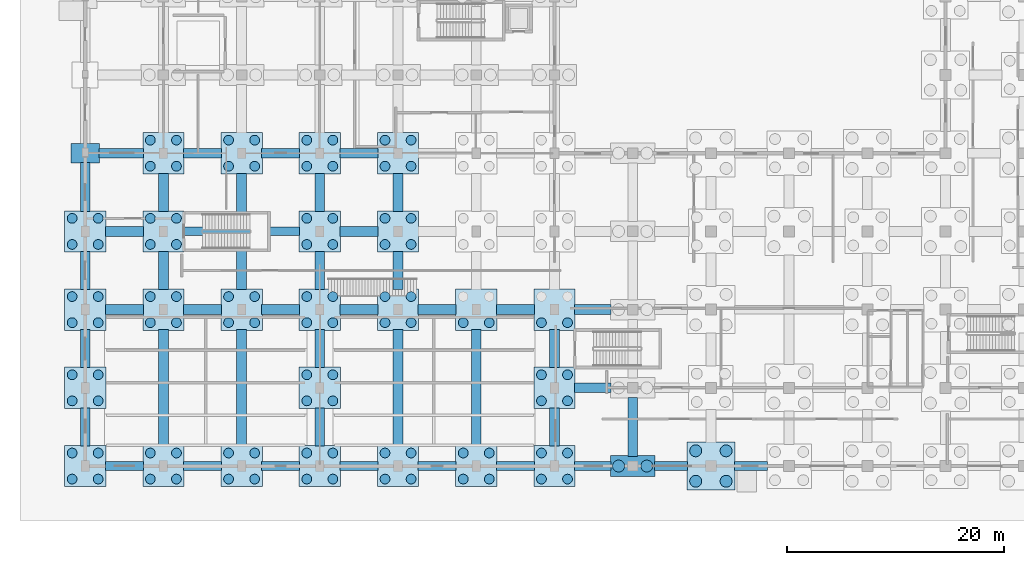
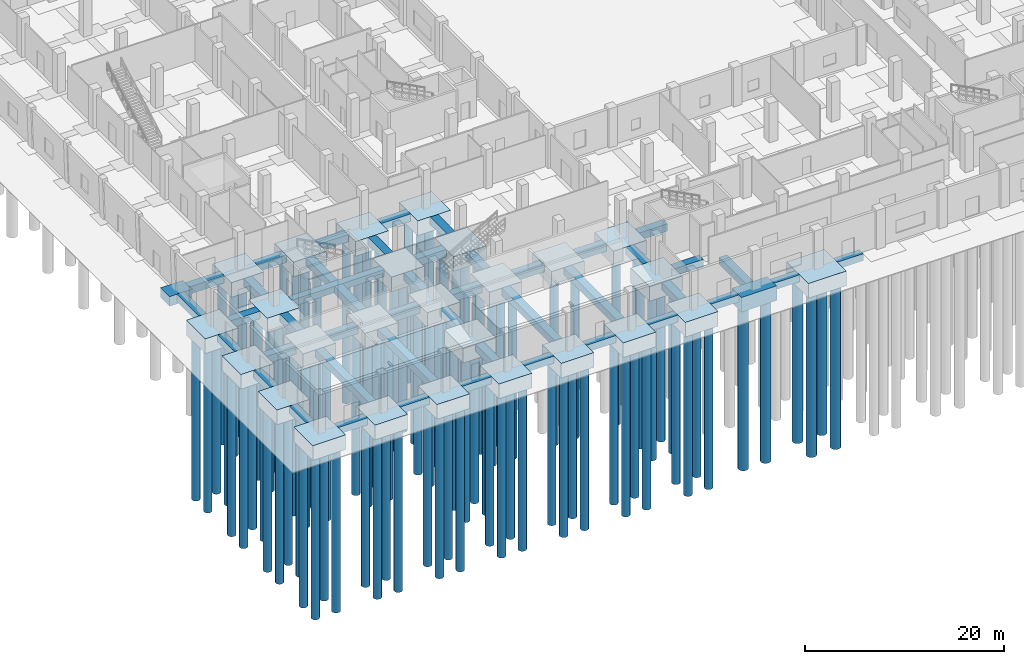
# One storey, part 1 of 48: 102 piles, 72 footings.
"""IFC4 building model written with IfcOpenShell, lengths in metres."""

from ifc_helpers import new_model, si_unit, direction, frame, origin, origin_2d, place, context, subcontext, project, spatial, rectangle, circle, extrude, material, material_profile, profile_set, type_object, element, save


model = new_model("IFC4")

# Units and contexts
model_context = context("Model", 3, precision=1e-05, world=origin(), true_north=direction((0.0, 1.0)))
body_context = subcontext(model_context, "Body", "Model", "MODEL_VIEW")
ifc_project = project(units=[si_unit("LENGTHUNIT", "METRE"), si_unit("AREAUNIT", "SQUARE_METRE"), si_unit("VOLUMEUNIT", "CUBIC_METRE"), si_unit("PLANEANGLEUNIT", "RADIAN"), si_unit("MASSUNIT", "GRAM", prefix="KILO")], contexts=[model_context])

# Site, building, storey
site_placement = place(None, origin())
site = spatial("IfcSite", under=ifc_project, at=site_placement, CompositionType="ELEMENT")
building_placement = place(site_placement, origin())
building = spatial("IfcBuilding", under=site, at=building_placement, Name="Seraya Terrace Polytechnic", CompositionType="ELEMENT")
storey_placement = place(building_placement, origin())
storey = spatial("IfcBuildingStorey", under=building, at=storey_placement, Name="L00", CompositionType="ELEMENT", Elevation=0.0)

# Piles
ifc_material = material(Name="Concrete C40/50", Category="concrete")
ifc_material_profile_1 = material_profile(ifc_material, circle(Radius=0.449951171875, at=origin_2d()), Name="DIA 900")
ifc_profile_set_1 = profile_set([ifc_material_profile_1], Name="Concrete C40/50")
pile_type_1 = type_object("IfcPileType", Name="BP-02", PredefinedType="BORED", material=ifc_profile_set_1)
for number, where, z_axis, x_axis, name in (
    (1, (-1.199951171875, -1.199951171875, -1.699951171875), (0.0, 0.0, -1.0), (1.0, 0.0, 0.0), "Bored pile BP-02 0000_0000-1"),
    (2, (1.199951171875, -1.199951171875, -1.699951171875), (0.0, 0.0, -1.0), (1.0, 0.0, 0.0), "Bored pile BP-02 0000_0000-2"),
    (3, (-1.199951171875, 1.199951171875, -1.699951171875), (0.0, 0.0, -1.0), (1.0, 0.0, 0.0), "Bored pile BP-02 0000_0000-3"),
    (4, (1.199951171875, 1.199951171875, -1.699951171875), (0.0, 0.0, -1.0), (1.0, 0.0, 0.0), "Bored pile BP-02 0000_0000-4"),
    (5, (-1.199951171875, 6.0, -1.699951171875), (0.0, 0.0, -1.0), (1.0, 0.0, 0.0), "Bored pile BP-02 0000_0072-1"),
    (6, (1.199951171875, 6.0, -1.699951171875), (0.0, 0.0, -1.0), (1.0, 0.0, 0.0), "Bored pile BP-02 0000_0072-2"),
    (7, (-1.199951171875, 8.39990234375, -1.699951171875), (0.0, 0.0, -1.0), (1.0, 0.0, 0.0), "Bored pile BP-02 0000_0072-3"),
    (8, (1.199951171875, 8.39990234375, -1.699951171875), (0.0, 0.0, -1.0), (1.0, 0.0, 0.0), "Bored pile BP-02 0000_0072-4"),
    (9, (-1.199951171875, 13.199951171875, -1.699951171875), (0.0, 0.0, -1.0), (1.0, 0.0, 0.0), "Bored pile BP-02 0000_0144-1"),
    (10, (1.199951171875, 13.199951171875, -1.699951171875), (0.0, 0.0, -1.0), (1.0, 0.0, 0.0), "Bored pile BP-02 0000_0144-2"),
    (11, (-1.199951171875, 15.60009765625, -1.699951171875), (0.0, 0.0, -1.0), (1.0, 0.0, 0.0), "Bored pile BP-02 0000_0144-3"),
    (12, (1.199951171875, 15.60009765625, -1.699951171875), (0.0, 0.0, -1.0), (1.0, 0.0, 0.0), "Bored pile BP-02 0000_0144-4"),
    (13, (-1.199951171875, 20.39990234375, -1.699951171875), (0.0, 0.0, -1.0), (1.0, 0.0, 0.0), "Bored pile BP-02 0000_0216-1"),
    (14, (1.199951171875, 20.39990234375, -1.699951171875), (0.0, 0.0, -1.0), (1.0, 0.0, 0.0), "Bored pile BP-02 0000_0216-2"),
    (15, (-1.199951171875, 22.800048828125, -1.699951171875), (0.0, 0.0, -1.0), (1.0, 0.0, 0.0), "Bored pile BP-02 0000_0216-3"),
    (16, (1.199951171875, 22.800048828125, -1.699951171875), (0.0, 0.0, -1.0), (1.0, 0.0, 0.0), "Bored pile BP-02 0000_0216-4"),
    (17, (6.0, -1.199951171875, -1.699951171875), (0.0, 0.0, -1.0), (1.0, 0.0, 0.0), "Bored pile BP-02 0072_0000-1"),
    (18, (8.39990234375, -1.199951171875, -1.699951171875), (0.0, 0.0, -1.0), (1.0, 0.0, 0.0), "Bored pile BP-02 0072_0000-2"),
    (19, (6.0, 1.199951171875, -1.699951171875), (0.0, 0.0, -1.0), (1.0, 0.0, 0.0), "Bored pile BP-02 0072_0000-3"),
    (20, (8.39990234375, 1.199951171875, -1.699951171875), (0.0, 0.0, -1.0), (1.0, 0.0, 0.0), "Bored pile BP-02 0072_0000-4"),
    (21, (6.0, 13.199951171875, -1.699951171875), (0.0, 0.0, -1.0), (1.0, 0.0, 0.0), "Bored pile BP-02 0072_0144-1"),
    (22, (8.39990234375, 13.199951171875, -1.699951171875), (0.0, 0.0, -1.0), (1.0, 0.0, 0.0), "Bored pile BP-02 0072_0144-2"),
    (23, (6.0, 15.60009765625, -1.699951171875), (0.0, 0.0, -1.0), (1.0, 0.0, 0.0), "Bored pile BP-02 0072_0144-3"),
    (24, (8.39990234375, 15.60009765625, -1.699951171875), (0.0, 0.0, -1.0), (1.0, 0.0, 0.0), "Bored pile BP-02 0072_0144-4"),
    (25, (6.0, 20.39990234375, -1.699951171875), (0.0, 0.0, -1.0), (1.0, 0.0, 0.0), "Bored pile BP-02 0072_0216-1"),
    (26, (8.39990234375, 20.39990234375, -1.699951171875), (0.0, 0.0, -1.0), (1.0, 0.0, 0.0), "Bored pile BP-02 0072_0216-2"),
    (27, (6.0, 22.800048828125, -1.699951171875), (0.0, 0.0, -1.0), (1.0, 0.0, 0.0), "Bored pile BP-02 0072_0216-3"),
    (28, (8.39990234375, 22.800048828125, -1.699951171875), (0.0, 0.0, -1.0), (1.0, 0.0, 0.0), "Bored pile BP-02 0072_0216-4"),
    (29, (6.0, 27.60009765625, -1.699951171875), (0.0, 0.0, -1.0), (1.0, 0.0, 0.0), "Bored pile BP-02 0072_0288-1"),
    (30, (8.39990234375, 27.60009765625, -1.699951171875), (0.0, 0.0, -1.0), (1.0, 0.0, 0.0), "Bored pile BP-02 0072_0288-2"),
    (31, (6.0, 30.0, -1.699951171875), (0.0, 0.0, -1.0), (1.0, 0.0, 0.0), "Bored pile BP-02 0072_0288-3"),
    (32, (8.39990234375, 30.0, -1.699951171875), (0.0, 0.0, -1.0), (1.0, 0.0, 0.0), "Bored pile BP-02 0072_0288-4"),
    (33, (13.199951171875, -1.199951171875, -1.699951171875), (0.0, 0.0, -1.0), (1.0, 0.0, 0.0), "Bored pile BP-02 0144_0000-1"),
    (34, (15.60009765625, -1.199951171875, -1.699951171875), (0.0, 0.0, -1.0), (1.0, 0.0, 0.0), "Bored pile BP-02 0144_0000-2"),
    (35, (13.199951171875, 1.199951171875, -1.699951171875), (0.0, 0.0, -1.0), (1.0, 0.0, 0.0), "Bored pile BP-02 0144_0000-3"),
    (36, (15.60009765625, 1.199951171875, -1.699951171875), (0.0, 0.0, -1.0), (1.0, 0.0, 0.0), "Bored pile BP-02 0144_0000-4"),
    (37, (13.199951171875, 13.199951171875, -1.699951171875), (0.0, 0.0, -1.0), (1.0, 0.0, 0.0), "Bored pile BP-02 0144_0144-1"),
    (38, (15.60009765625, 13.199951171875, -1.699951171875), (0.0, 0.0, -1.0), (1.0, 0.0, 0.0), "Bored pile BP-02 0144_0144-2"),
    (39, (13.199951171875, 15.60009765625, -1.699951171875), (0.0, 0.0, -1.0), (1.0, 0.0, 0.0), "Bored pile BP-02 0144_0144-3"),
    (40, (15.60009765625, 15.60009765625, -1.699951171875), (0.0, 0.0, -1.0), (1.0, 0.0, 0.0), "Bored pile BP-02 0144_0144-4"),
    (41, (13.199951171875, 27.60009765625, -1.699951171875), (0.0, 0.0, -1.0), (1.0, 0.0, 0.0), "Bored pile BP-02 0144_0288-1"),
    (42, (15.60009765625, 27.60009765625, -1.699951171875), (0.0, 0.0, -1.0), (1.0, 0.0, 0.0), "Bored pile BP-02 0144_0288-2"),
    (43, (13.199951171875, 30.0, -1.699951171875), (0.0, 0.0, -1.0), (1.0, 0.0, 0.0), "Bored pile BP-02 0144_0288-3"),
    (44, (15.60009765625, 30.0, -1.699951171875), (0.0, 0.0, -1.0), (1.0, 0.0, 0.0), "Bored pile BP-02 0144_0288-4"),
    (45, (20.39990234375, -1.199951171875, -1.699951171875), (0.0, 0.0, -1.0), (1.0, 0.0, 0.0), "Bored pile BP-02 0216_0000-1"),
    (46, (22.800048828125, -1.199951171875, -1.699951171875), (0.0, 0.0, -1.0), (1.0, 0.0, 0.0), "Bored pile BP-02 0216_0000-2"),
    (47, (20.39990234375, 1.199951171875, -1.699951171875), (0.0, 0.0, -1.0), (1.0, 0.0, 0.0), "Bored pile BP-02 0216_0000-3"),
    (48, (22.800048828125, 1.199951171875, -1.699951171875), (0.0, 0.0, -1.0), (1.0, 0.0, 0.0), "Bored pile BP-02 0216_0000-4"),
    (49, (20.39990234375, 6.0, -1.699951171875), (0.0, 0.0, -1.0), (1.0, 0.0, 0.0), "Bored pile BP-02 0216_0072-1"),
    (50, (22.800048828125, 6.0, -1.699951171875), (0.0, 0.0, -1.0), (1.0, 0.0, 0.0), "Bored pile BP-02 0216_0072-2"),
    (51, (20.39990234375, 8.39990234375, -1.699951171875), (0.0, 0.0, -1.0), (1.0, 0.0, 0.0), "Bored pile BP-02 0216_0072-3"),
    (52, (22.800048828125, 8.39990234375, -1.699951171875), (0.0, 0.0, -1.0), (1.0, 0.0, 0.0), "Bored pile BP-02 0216_0072-4"),
    (53, (20.39990234375, 13.199951171875, -1.699951171875), (0.0, 0.0, -1.0), (1.0, 0.0, 0.0), "Bored pile BP-02 0216_0144-1"),
    (54, (22.800048828125, 13.199951171875, -1.699951171875), (0.0, 0.0, -1.0), (1.0, 0.0, 0.0), "Bored pile BP-02 0216_0144-2"),
    (55, (20.39990234375, 15.60009765625, -1.699951171875), (0.0, 0.0, -1.0), (1.0, 0.0, 0.0), "Bored pile BP-02 0216_0144-3"),
    (56, (22.800048828125, 15.60009765625, -1.699951171875), (0.0, 0.0, -1.0), (1.0, 0.0, 0.0), "Bored pile BP-02 0216_0144-4"),
    (57, (20.39990234375, 20.39990234375, -1.699951171875), (0.0, 0.0, -1.0), (1.0, 0.0, 0.0), "Bored pile BP-02 0216_0216-1"),
    (58, (22.800048828125, 20.39990234375, -1.699951171875), (0.0, 0.0, -1.0), (1.0, 0.0, 0.0), "Bored pile BP-02 0216_0216-2"),
    (59, (20.39990234375, 22.800048828125, -1.699951171875), (0.0, 0.0, -1.0), (1.0, 0.0, 0.0), "Bored pile BP-02 0216_0216-3"),
    (60, (22.800048828125, 22.800048828125, -1.699951171875), (0.0, 0.0, -1.0), (1.0, 0.0, 0.0), "Bored pile BP-02 0216_0216-4"),
    (61, (20.39990234375, 27.60009765625, -1.699951171875), (0.0, 0.0, -1.0), (1.0, 0.0, 0.0), "Bored pile BP-02 0216_0288-1"),
    (62, (22.800048828125, 27.60009765625, -1.699951171875), (0.0, 0.0, -1.0), (1.0, 0.0, 0.0), "Bored pile BP-02 0216_0288-2"),
    (63, (20.39990234375, 30.0, -1.699951171875), (0.0, 0.0, -1.0), (1.0, 0.0, 0.0), "Bored pile BP-02 0216_0288-3"),
    (64, (22.800048828125, 30.0, -1.699951171875), (0.0, 0.0, -1.0), (1.0, 0.0, 0.0), "Bored pile BP-02 0216_0288-4"),
    (65, (27.60009765625, -1.199951171875, -1.699951171875), (0.0, 0.0, -1.0), (1.0, 0.0, 0.0), "Bored pile BP-02 0288_0000-1"),
    (66, (30.0, -1.199951171875, -1.699951171875), (0.0, 0.0, -1.0), (1.0, 0.0, 0.0), "Bored pile BP-02 0288_0000-2"),
    (67, (27.60009765625, 1.199951171875, -1.699951171875), (0.0, 0.0, -1.0), (1.0, 0.0, 0.0), "Bored pile BP-02 0288_0000-3"),
    (68, (30.0, 1.199951171875, -1.699951171875), (0.0, 0.0, -1.0), (1.0, 0.0, 0.0), "Bored pile BP-02 0288_0000-4"),
    (69, (27.60009765625, 13.199951171875, -1.699951171875), (0.0, 0.0, -1.0), (1.0, 0.0, 0.0), "Bored pile BP-02 0288_0144-1"),
    (70, (30.0, 13.199951171875, -1.699951171875), (0.0, 0.0, -1.0), (1.0, 0.0, 0.0), "Bored pile BP-02 0288_0144-2"),
    (71, (27.60009765625, 15.60009765625, -1.699951171875), (0.0, 0.0, -1.0), (1.0, 0.0, 0.0), "Bored pile BP-02 0288_0144-3"),
    (72, (30.0, 15.60009765625, -1.699951171875), (0.0, 0.0, -1.0), (1.0, 0.0, 0.0), "Bored pile BP-02 0288_0144-4"),
    (73, (27.60009765625, 20.39990234375, -1.699951171875), (0.0, 0.0, -1.0), (1.0, 0.0, 0.0), "Bored pile BP-02 0288_0216-1"),
    (74, (30.0, 20.39990234375, -1.699951171875), (0.0, 0.0, -1.0), (1.0, 0.0, 0.0), "Bored pile BP-02 0288_0216-2"),
    (75, (27.60009765625, 22.800048828125, -1.699951171875), (0.0, 0.0, -1.0), (1.0, 0.0, 0.0), "Bored pile BP-02 0288_0216-3"),
    (76, (30.0, 22.800048828125, -1.699951171875), (0.0, 0.0, -1.0), (1.0, 0.0, 0.0), "Bored pile BP-02 0288_0216-4"),
    (77, (27.60009765625, 27.60009765625, -1.699951171875), (0.0, 0.0, -1.0), (1.0, 0.0, 0.0), "Bored pile BP-02 0288_0288-1"),
    (78, (30.0, 27.60009765625, -1.699951171875), (0.0, 0.0, -1.0), (1.0, 0.0, 0.0), "Bored pile BP-02 0288_0288-2"),
    (79, (27.60009765625, 30.0, -1.699951171875), (0.0, 0.0, -1.0), (1.0, 0.0, 0.0), "Bored pile BP-02 0288_0288-3"),
    (80, (30.0, 30.0, -1.699951171875), (0.0, 0.0, -1.0), (1.0, 0.0, 0.0), "Bored pile BP-02 0288_0288-4"),
    (81, (34.800048828125, -1.199951171875, -1.699951171875), (0.0, 0.0, -1.0), (1.0, 0.0, 0.0), "Bored pile BP-02 0360_0000-1"),
    (82, (37.199951171875, -1.199951171875, -1.699951171875), (0.0, 0.0, -1.0), (1.0, 0.0, 0.0), "Bored pile BP-02 0360_0000-2"),
    (83, (34.800048828125, 1.199951171875, -1.699951171875), (0.0, 0.0, -1.0), (1.0, 0.0, 0.0), "Bored pile BP-02 0360_0000-3"),
    (84, (37.199951171875, 1.199951171875, -1.699951171875), (0.0, 0.0, -1.0), (1.0, 0.0, 0.0), "Bored pile BP-02 0360_0000-4"),
    (85, (34.800048828125, 13.199951171875, -1.699951171875), (0.0, 0.0, -1.0), (1.0, 0.0, 0.0), "Bored pile BP-02 0360_0144-1"),
    (86, (37.199951171875, 13.199951171875, -1.699951171875), (0.0, 0.0, -1.0), (1.0, 0.0, 0.0), "Bored pile BP-02 0360_0144-2"),
    (87, (42.0, -1.199951171875, -1.699951171875), (0.0, 0.0, -1.0), (1.0, 0.0, 0.0), "Bored pile BP-02 0432_0000-1"),
    (88, (44.39990234375, -1.199951171875, -1.699951171875), (0.0, 0.0, -1.0), (1.0, 0.0, 0.0), "Bored pile BP-02 0432_0000-2"),
    (89, (42.0, 1.199951171875, -1.699951171875), (0.0, 0.0, -1.0), (1.0, 0.0, 0.0), "Bored pile BP-02 0432_0000-3"),
    (90, (44.39990234375, 1.199951171875, -1.699951171875), (0.0, 0.0, -1.0), (1.0, 0.0, 0.0), "Bored pile BP-02 0432_0000-4"),
    (91, (42.0, 6.0, -1.699951171875), (0.0, 0.0, -1.0), (1.0, 0.0, 0.0), "Bored pile BP-02 0432_0072-1"),
    (92, (44.39990234375, 6.0, -1.699951171875), (0.0, 0.0, -1.0), (1.0, 0.0, 0.0), "Bored pile BP-02 0432_0072-2"),
    (93, (42.0, 8.39990234375, -1.699951171875), (0.0, 0.0, -1.0), (1.0, 0.0, 0.0), "Bored pile BP-02 0432_0072-3"),
    (94, (44.39990234375, 8.39990234375, -1.699951171875), (0.0, 0.0, -1.0), (1.0, 0.0, 0.0), "Bored pile BP-02 0432_0072-4"),
    (95, (42.0, 13.199951171875, -1.699951171875), (0.0, 0.0, -1.0), (1.0, 0.0, 0.0), "Bored pile BP-02 0432_0144-1"),
    (96, (44.39990234375, 13.199951171875, -1.699951171875), (0.0, 0.0, -1.0), (1.0, 0.0, 0.0), "Bored pile BP-02 0432_0144-2"),
):
    element("IfcPile", number, at=place(storey_placement, frame(where, z_axis=z_axis, x_axis=x_axis)), inside=storey, type_object=pile_type_1, Name=name, PredefinedType="BORED", context=body_context, shape_type="SweptSolid", body=[
        extrude(circle(Radius=0.449951171875, at=origin_2d()), origin(), (0.0, 0.0, 1.0), 20.0),
    ])
ifc_material_profile_2 = material_profile(ifc_material, circle(Radius=0.550048828125, at=origin_2d()), Name="DIA 1100")
ifc_profile_set_2 = profile_set([ifc_material_profile_2], Name="Concrete C40/50")
pile_type_2 = type_object("IfcPileType", Name="BP-04", PredefinedType="BORED", material=ifc_profile_set_2)
for number, where, z_axis, x_axis, name in (
    (97, (49.10009765625, 0.0, -1.699951171875), (0.0, 0.0, -1.0), (1.0, 0.0, 0.0), "Bored pile BP-04 0504_0000-1"),
    (98, (51.699951171875, 0.0, -1.699951171875), (0.0, 0.0, -1.0), (1.0, 0.0, 0.0), "Bored pile BP-04 0504_0000-2"),
    (99, (56.199951171875, -1.39990234375, -1.699951171875), (0.0, 0.0, -1.0), (1.0, 0.0, 0.0), "Bored pile BP-04 0576_0000-1"),
    (100, (59.0, -1.39990234375, -1.699951171875), (0.0, 0.0, -1.0), (1.0, 0.0, 0.0), "Bored pile BP-04 0576_0000-2"),
    (101, (56.199951171875, 1.39990234375, -1.699951171875), (0.0, 0.0, -1.0), (1.0, 0.0, 0.0), "Bored pile BP-04 0576_0000-3"),
    (102, (59.0, 1.39990234375, -1.699951171875), (0.0, 0.0, -1.0), (1.0, 0.0, 0.0), "Bored pile BP-04 0576_0000-4"),
):
    element("IfcPile", number, at=place(storey_placement, frame(where, z_axis=z_axis, x_axis=x_axis)), inside=storey, type_object=pile_type_2, Name=name, PredefinedType="BORED", context=body_context, shape_type="SweptSolid", body=[
        extrude(circle(Radius=0.550048828125, at=origin_2d()), origin(), (0.0, 0.0, 1.0), 20.0),
    ])

# Footings
footing_type_1 = type_object("IfcFootingType", Name="FB-01", PredefinedType="FOOTING_BEAM", material=ifc_material)
for number, where, z_axis, x_axis, name in (
    (103, (0.0, 3.60009765625, -0.89990234375), (0.0, 0.0, 1.0), (0.0, 1.0, 0.0), "Foundation tie beam FB-01 Y"),
    (104, (0.0, 10.800048828125, -0.89990234375), (0.0, 0.0, 1.0), (0.0, 1.0, 0.0), "Foundation tie beam FB-01 Y"),
    (105, (3.60009765625, 14.39990234375, -0.89990234375), (0.0, 0.0, 1.0), (1.0, 0.0, 0.0), "Foundation tie beam FB-01 X"),
    (106, (0.0, 18.0, -0.89990234375), (0.0, 0.0, 1.0), (0.0, 1.0, 0.0), "Foundation tie beam FB-01 Y"),
    (107, (3.60009765625, 21.60009765625, -0.89990234375), (0.0, 0.0, 1.0), (1.0, 0.0, 0.0), "Foundation tie beam FB-01 X"),
):
    element("IfcFooting", number, at=place(storey_placement, frame(where, z_axis=z_axis, x_axis=x_axis)), inside=storey, type_object=footing_type_1, Name=name, PredefinedType="FOOTING_BEAM", context=body_context, shape_type="SweptSolid", body=[
        extrude(rectangle(XDim=3.5, YDim=0.89990234375, at=origin_2d()), origin(), (0.0, 0.0, 1.0), 0.89990234375),
    ])
footing_1_placement = place(storey_placement, frame((0.0, 25.699951171875, -0.89990234375), z_axis=(0.0, 0.0, 1.0), x_axis=(0.0, 1.0, 0.0)))
element("IfcFooting", 108, at=footing_1_placement, inside=storey, type_object=footing_type_1, Name="Foundation tie beam FB-01 Y", PredefinedType="FOOTING_BEAM", context=body_context, shape_type="SweptSolid", body=[
    extrude(rectangle(XDim=4.5, YDim=0.89990234375, at=origin_2d()), origin(), (0.0, 0.0, 1.0), 0.89990234375),
])
footing_2_placement = place(storey_placement, frame((3.300048828125, 28.800048828125, -0.89990234375), z_axis=(0.0, 0.0, 1.0), x_axis=(1.0, 0.0, 0.0)))
element("IfcFooting", 109, at=footing_2_placement, inside=storey, type_object=footing_type_1, Name="Foundation tie beam FB-01 X", PredefinedType="FOOTING_BEAM", context=body_context, shape_type="SweptSolid", body=[
    extrude(rectangle(XDim=4.10009765625, YDim=0.89990234375, at=origin_2d()), origin(), (0.0, 0.0, 1.0), 0.89990234375),
])
footing_3_placement = place(storey_placement, frame((7.199951171875, 7.199951171875, -0.89990234375), z_axis=(0.0, 0.0, 1.0), x_axis=(0.0, 1.0, 0.0)))
element("IfcFooting", 110, at=footing_3_placement, inside=storey, type_object=footing_type_1, Name="Foundation tie beam FB-01 Y", PredefinedType="FOOTING_BEAM", context=body_context, shape_type="SweptSolid", body=[
    extrude(rectangle(XDim=10.699951171875, YDim=0.89990234375, at=origin_2d()), origin(), (0.0, 0.0, 1.0), 0.89990234375),
])
for number, where, z_axis, x_axis, name in (
    (111, (10.800048828125, 14.39990234375, -0.89990234375), (0.0, 0.0, 1.0), (1.0, 0.0, 0.0), "Foundation tie beam FB-01 X"),
    (112, (7.199951171875, 18.0, -0.89990234375), (0.0, 0.0, 1.0), (0.0, 1.0, 0.0), "Foundation tie beam FB-01 Y"),
    (113, (7.199951171875, 25.199951171875, -0.89990234375), (0.0, 0.0, 1.0), (0.0, 1.0, 0.0), "Foundation tie beam FB-01 Y"),
    (114, (10.800048828125, 28.800048828125, -0.89990234375), (0.0, 0.0, 1.0), (1.0, 0.0, 0.0), "Foundation tie beam FB-01 X"),
):
    element("IfcFooting", number, at=place(storey_placement, frame(where, z_axis=z_axis, x_axis=x_axis)), inside=storey, type_object=footing_type_1, Name=name, PredefinedType="FOOTING_BEAM", context=body_context, shape_type="SweptSolid", body=[
        extrude(rectangle(XDim=3.5, YDim=0.89990234375, at=origin_2d()), origin(), (0.0, 0.0, 1.0), 0.89990234375),
    ])
footing_4_placement = place(storey_placement, frame((14.39990234375, 7.199951171875, -0.89990234375), z_axis=(0.0, 0.0, 1.0), x_axis=(0.0, 1.0, 0.0)))
element("IfcFooting", 115, at=footing_4_placement, inside=storey, type_object=footing_type_1, Name="Foundation tie beam FB-01 Y", PredefinedType="FOOTING_BEAM", context=body_context, shape_type="SweptSolid", body=[
    extrude(rectangle(XDim=10.699951171875, YDim=0.89990234375, at=origin_2d()), origin(), (0.0, 0.0, 1.0), 0.89990234375),
])
footing_5_placement = place(storey_placement, frame((18.0, 14.39990234375, -0.89990234375), z_axis=(0.0, 0.0, 1.0), x_axis=(1.0, 0.0, 0.0)))
element("IfcFooting", 116, at=footing_5_placement, inside=storey, type_object=footing_type_1, Name="Foundation tie beam FB-01 X", PredefinedType="FOOTING_BEAM", context=body_context, shape_type="SweptSolid", body=[
    extrude(rectangle(XDim=3.5, YDim=0.89990234375, at=origin_2d()), origin(), (0.0, 0.0, 1.0), 0.89990234375),
])
footing_6_placement = place(storey_placement, frame((14.39990234375, 21.60009765625, -0.89990234375), z_axis=(0.0, 0.0, 1.0), x_axis=(0.0, 1.0, 0.0)))
element("IfcFooting", 117, at=footing_6_placement, inside=storey, type_object=footing_type_1, Name="Foundation tie beam FB-01 Y", PredefinedType="FOOTING_BEAM", context=body_context, shape_type="SweptSolid", body=[
    extrude(rectangle(XDim=10.699951171875, YDim=0.89990234375, at=origin_2d()), origin(), (0.0, 0.0, 1.0), 0.89990234375),
])
for number, where, z_axis, x_axis, name in (
    (118, (18.0, 28.800048828125, -0.89990234375), (0.0, 0.0, 1.0), (1.0, 0.0, 0.0), "Foundation tie beam FB-01 X"),
    (119, (21.60009765625, 3.60009765625, -0.89990234375), (0.0, 0.0, 1.0), (0.0, 1.0, 0.0), "Foundation tie beam FB-01 Y"),
    (120, (21.60009765625, 10.800048828125, -0.89990234375), (0.0, 0.0, 1.0), (0.0, 1.0, 0.0), "Foundation tie beam FB-01 Y"),
    (121, (25.199951171875, 14.39990234375, -0.89990234375), (0.0, 0.0, 1.0), (1.0, 0.0, 0.0), "Foundation tie beam FB-01 X"),
    (122, (21.60009765625, 18.0, -0.89990234375), (0.0, 0.0, 1.0), (0.0, 1.0, 0.0), "Foundation tie beam FB-01 Y"),
    (123, (25.199951171875, 21.60009765625, -0.89990234375), (0.0, 0.0, 1.0), (1.0, 0.0, 0.0), "Foundation tie beam FB-01 X"),
    (124, (21.60009765625, 25.199951171875, -0.89990234375), (0.0, 0.0, 1.0), (0.0, 1.0, 0.0), "Foundation tie beam FB-01 Y"),
    (125, (25.199951171875, 28.800048828125, -0.89990234375), (0.0, 0.0, 1.0), (1.0, 0.0, 0.0), "Foundation tie beam FB-01 X"),
):
    element("IfcFooting", number, at=place(storey_placement, frame(where, z_axis=z_axis, x_axis=x_axis)), inside=storey, type_object=footing_type_1, Name=name, PredefinedType="FOOTING_BEAM", context=body_context, shape_type="SweptSolid", body=[
        extrude(rectangle(XDim=3.5, YDim=0.89990234375, at=origin_2d()), origin(), (0.0, 0.0, 1.0), 0.89990234375),
    ])
footing_7_placement = place(storey_placement, frame((28.800048828125, 7.199951171875, -0.89990234375), z_axis=(0.0, 0.0, 1.0), x_axis=(0.0, 1.0, 0.0)))
element("IfcFooting", 126, at=footing_7_placement, inside=storey, type_object=footing_type_1, Name="Foundation tie beam FB-01 Y", PredefinedType="FOOTING_BEAM", context=body_context, shape_type="SweptSolid", body=[
    extrude(rectangle(XDim=10.699951171875, YDim=0.89990234375, at=origin_2d()), origin(), (0.0, 0.0, 1.0), 0.89990234375),
])
for number, where, z_axis, x_axis, name in (
    (127, (32.39990234375, 14.39990234375, -0.89990234375), (0.0, 0.0, 1.0), (1.0, 0.0, 0.0), "Foundation tie beam FB-01 X"),
    (128, (28.800048828125, 18.0, -0.89990234375), (0.0, 0.0, 1.0), (0.0, 1.0, 0.0), "Foundation tie beam FB-01 Y"),
    (129, (28.800048828125, 25.199951171875, -0.89990234375), (0.0, 0.0, 1.0), (0.0, 1.0, 0.0), "Foundation tie beam FB-01 Y"),
):
    element("IfcFooting", number, at=place(storey_placement, frame(where, z_axis=z_axis, x_axis=x_axis)), inside=storey, type_object=footing_type_1, Name=name, PredefinedType="FOOTING_BEAM", context=body_context, shape_type="SweptSolid", body=[
        extrude(rectangle(XDim=3.5, YDim=0.89990234375, at=origin_2d()), origin(), (0.0, 0.0, 1.0), 0.89990234375),
    ])
footing_8_placement = place(storey_placement, frame((36.0, 7.199951171875, -0.89990234375), z_axis=(0.0, 0.0, 1.0), x_axis=(0.0, 1.0, 0.0)))
element("IfcFooting", 130, at=footing_8_placement, inside=storey, type_object=footing_type_1, Name="Foundation tie beam FB-01 Y", PredefinedType="FOOTING_BEAM", context=body_context, shape_type="SweptSolid", body=[
    extrude(rectangle(XDim=10.699951171875, YDim=0.89990234375, at=origin_2d()), origin(), (0.0, 0.0, 1.0), 0.89990234375),
])
for number, where, z_axis, x_axis, name in (
    (131, (39.60009765625, 14.39990234375, -0.89990234375), (0.0, 0.0, 1.0), (1.0, 0.0, 0.0), "Foundation tie beam FB-01 X"),
    (132, (43.199951171875, 3.60009765625, -0.89990234375), (0.0, 0.0, 1.0), (0.0, 1.0, 0.0), "Foundation tie beam FB-01 Y"),
):
    element("IfcFooting", number, at=place(storey_placement, frame(where, z_axis=z_axis, x_axis=x_axis)), inside=storey, type_object=footing_type_1, Name=name, PredefinedType="FOOTING_BEAM", context=body_context, shape_type="SweptSolid", body=[
        extrude(rectangle(XDim=3.5, YDim=0.89990234375, at=origin_2d()), origin(), (0.0, 0.0, 1.0), 0.89990234375),
    ])
footing_9_placement = place(storey_placement, frame((46.72509765625, 7.199951171875, -0.89990234375), z_axis=(0.0, 0.0, 1.0), x_axis=(1.0, 0.0, 0.0)))
element("IfcFooting", 133, at=footing_9_placement, inside=storey, type_object=footing_type_1, Name="Foundation tie beam FB-01 X", PredefinedType="FOOTING_BEAM", context=body_context, shape_type="SweptSolid", body=[
    extrude(rectangle(XDim=3.35009765625, YDim=0.89990234375, at=origin_2d()), origin(), (0.0, 0.0, 1.0), 0.89990234375),
])
footing_10_placement = place(storey_placement, frame((43.199951171875, 10.800048828125, -0.89990234375), z_axis=(0.0, 0.0, 1.0), x_axis=(0.0, 1.0, 0.0)))
element("IfcFooting", 134, at=footing_10_placement, inside=storey, type_object=footing_type_1, Name="Foundation tie beam FB-01 Y", PredefinedType="FOOTING_BEAM", context=body_context, shape_type="SweptSolid", body=[
    extrude(rectangle(XDim=3.5, YDim=0.89990234375, at=origin_2d()), origin(), (0.0, 0.0, 1.0), 0.89990234375),
])
footing_11_placement = place(storey_placement, frame((46.72509765625, 14.39990234375, -0.89990234375), z_axis=(0.0, 0.0, 1.0), x_axis=(1.0, 0.0, 0.0)))
element("IfcFooting", 135, at=footing_11_placement, inside=storey, type_object=footing_type_1, Name="Foundation tie beam FB-01 X", PredefinedType="FOOTING_BEAM", context=body_context, shape_type="SweptSolid", body=[
    extrude(rectangle(XDim=3.35009765625, YDim=0.89990234375, at=origin_2d()), origin(), (0.0, 0.0, 1.0), 0.89990234375),
])
footing_12_placement = place(storey_placement, frame((50.39990234375, 3.60009765625, -0.89990234375), z_axis=(0.0, 0.0, 1.0), x_axis=(0.0, 1.0, 0.0)))
element("IfcFooting", 136, at=footing_12_placement, inside=storey, type_object=footing_type_1, Name="Foundation tie beam FB-01 Y", PredefinedType="FOOTING_BEAM", context=body_context, shape_type="SweptSolid", body=[
    extrude(rectangle(XDim=5.39990234375, YDim=0.89990234375, at=origin_2d()), origin(), (0.0, 0.0, 1.0), 0.89990234375),
])
footing_type_2 = type_object("IfcFootingType", Name="FB-02", PredefinedType="FOOTING_BEAM", material=ifc_material)
footing_13_placement = place(storey_placement, frame((14.39990234375, 21.60009765625, -0.7998046875), z_axis=(0.0, 0.0, 1.0), x_axis=(1.0, 0.0, 0.0)))
element("IfcFooting", 137, at=footing_13_placement, inside=storey, type_object=footing_type_2, Name="Foundation tie beam FB-02 X", PredefinedType="FOOTING_BEAM", context=body_context, shape_type="SweptSolid", body=[
    extrude(rectangle(XDim=10.699951171875, YDim=0.800048828125, at=origin_2d()), origin(), (0.0, 0.0, 1.0), 0.800048828125),
])
footing_type_3 = type_object("IfcFootingType", Name="FB-04", PredefinedType="FOOTING_BEAM", material=ifc_material)
for number, where, z_axis, x_axis, name in (
    (138, (3.60009765625, 0.0, -0.85009765625), (0.0, 0.0, 1.0), (1.0, 0.0, 0.0), "Foundation tie beam FB-04 X"),
    (139, (10.800048828125, 0.0, -0.85009765625), (0.0, 0.0, 1.0), (1.0, 0.0, 0.0), "Foundation tie beam FB-04 X"),
    (140, (18.0, 0.0, -0.85009765625), (0.0, 0.0, 1.0), (1.0, 0.0, 0.0), "Foundation tie beam FB-04 X"),
    (141, (25.199951171875, 0.0, -0.85009765625), (0.0, 0.0, 1.0), (1.0, 0.0, 0.0), "Foundation tie beam FB-04 X"),
    (142, (32.39990234375, 0.0, -0.85009765625), (0.0, 0.0, 1.0), (1.0, 0.0, 0.0), "Foundation tie beam FB-04 X"),
    (143, (39.60009765625, 0.0, -0.85009765625), (0.0, 0.0, 1.0), (1.0, 0.0, 0.0), "Foundation tie beam FB-04 X"),
):
    element("IfcFooting", number, at=place(storey_placement, frame(where, z_axis=z_axis, x_axis=x_axis)), inside=storey, type_object=footing_type_3, Name=name, PredefinedType="FOOTING_BEAM", context=body_context, shape_type="SweptSolid", body=[
        extrude(rectangle(XDim=3.5, YDim=0.85009765625, at=origin_2d()), origin(), (0.0, 0.0, 1.0), 0.85009765625),
    ])
footing_14_placement = place(storey_placement, frame((46.72509765625, 0.0, -0.85009765625), z_axis=(0.0, 0.0, 1.0), x_axis=(1.0, 0.0, 0.0)))
element("IfcFooting", 144, at=footing_14_placement, inside=storey, type_object=footing_type_3, Name="Foundation tie beam FB-04 X", PredefinedType="FOOTING_BEAM", context=body_context, shape_type="SweptSolid", body=[
    extrude(rectangle(XDim=3.35009765625, YDim=0.85009765625, at=origin_2d()), origin(), (0.0, 0.0, 1.0), 0.85009765625),
])
for number, where, z_axis, x_axis, name in (
    (145, (53.925048828125, 0.0, -0.85009765625), (0.0, 0.0, 1.0), (1.0, 0.0, 0.0), "Foundation tie beam FB-04 X"),
    (146, (61.27490234375, 0.0, -0.85009765625), (0.0, 0.0, 1.0), (1.0, 0.0, 0.0), "Foundation tie beam FB-04 X"),
):
    element("IfcFooting", number, at=place(storey_placement, frame(where, z_axis=z_axis, x_axis=x_axis)), inside=storey, type_object=footing_type_3, Name=name, PredefinedType="FOOTING_BEAM", context=body_context, shape_type="SweptSolid", body=[
        extrude(rectangle(XDim=3.050048828125, YDim=0.85009765625, at=origin_2d()), origin(), (0.0, 0.0, 1.0), 0.85009765625),
    ])
footing_type_4 = type_object("IfcFootingType", Name="PC-05", PredefinedType="PILE_CAP", material=ifc_material)
footing_15_placement = place(storey_placement, frame((50.39990234375, 0.0, -1.7998046875), z_axis=(0.0, 0.0, 1.0), x_axis=(1.0, 0.0, 0.0)))
element("IfcFooting", 147, at=footing_15_placement, inside=storey, type_object=footing_type_4, Name="Pile cap PC-05 at (50.4, 0.0)", PredefinedType="PILE_CAP", context=body_context, shape_type="SweptSolid", body=[
    extrude(rectangle(XDim=4.10009765625, YDim=1.89990234375, at=origin_2d()), origin(), (0.0, 0.0, 1.0), 1.800048828125),
])
footing_type_5 = type_object("IfcFootingType", Name="PC-06", PredefinedType="PILE_CAP", material=ifc_material)
for number, where, z_axis, x_axis, name in (
    (148, (0.0, 0.0, -1.7998046875), (0.0, 0.0, 1.0), (1.0, 0.0, 0.0), "Pile cap PC-06 at (0.0, 0.0)"),
    (149, (0.0, 7.199951171875, -1.7998046875), (0.0, 0.0, 1.0), (1.0, 0.0, 0.0), "Pile cap PC-06 at (0.0, 7.2)"),
    (150, (0.0, 14.39990234375, -1.7998046875), (0.0, 0.0, 1.0), (1.0, 0.0, 0.0), "Pile cap PC-06 at (0.0, 14.4)"),
    (151, (0.0, 21.60009765625, -1.7998046875), (0.0, 0.0, 1.0), (1.0, 0.0, 0.0), "Pile cap PC-06 at (0.0, 21.6)"),
    (152, (7.199951171875, 0.0, -1.7998046875), (0.0, 0.0, 1.0), (1.0, 0.0, 0.0), "Pile cap PC-06 at (7.2, 0.0)"),
    (153, (7.199951171875, 14.39990234375, -1.7998046875), (0.0, 0.0, 1.0), (1.0, 0.0, 0.0), "Pile cap PC-06 at (7.2, 14.4)"),
    (154, (7.199951171875, 21.60009765625, -1.7998046875), (0.0, 0.0, 1.0), (1.0, 0.0, 0.0), "Pile cap PC-06 at (7.2, 21.6)"),
    (155, (7.199951171875, 28.800048828125, -1.7998046875), (0.0, 0.0, 1.0), (1.0, 0.0, 0.0), "Pile cap PC-06 at (7.2, 28.8)"),
    (156, (14.39990234375, 0.0, -1.7998046875), (0.0, 0.0, 1.0), (1.0, 0.0, 0.0), "Pile cap PC-06 at (14.4, 0.0)"),
    (157, (14.39990234375, 14.39990234375, -1.7998046875), (0.0, 0.0, 1.0), (1.0, 0.0, 0.0), "Pile cap PC-06 at (14.4, 14.4)"),
    (158, (14.39990234375, 28.800048828125, -1.7998046875), (0.0, 0.0, 1.0), (1.0, 0.0, 0.0), "Pile cap PC-06 at (14.4, 28.8)"),
    (159, (21.60009765625, 0.0, -1.7998046875), (0.0, 0.0, 1.0), (1.0, 0.0, 0.0), "Pile cap PC-06 at (21.6, 0.0)"),
    (160, (21.60009765625, 7.199951171875, -1.7998046875), (0.0, 0.0, 1.0), (1.0, 0.0, 0.0), "Pile cap PC-06 at (21.6, 7.2)"),
    (161, (21.60009765625, 14.39990234375, -1.7998046875), (0.0, 0.0, 1.0), (1.0, 0.0, 0.0), "Pile cap PC-06 at (21.6, 14.4)"),
    (162, (21.60009765625, 21.60009765625, -1.7998046875), (0.0, 0.0, 1.0), (1.0, 0.0, 0.0), "Pile cap PC-06 at (21.6, 21.6)"),
    (163, (21.60009765625, 28.800048828125, -1.7998046875), (0.0, 0.0, 1.0), (1.0, 0.0, 0.0), "Pile cap PC-06 at (21.6, 28.8)"),
    (164, (28.800048828125, 0.0, -1.7998046875), (0.0, 0.0, 1.0), (1.0, 0.0, 0.0), "Pile cap PC-06 at (28.8, 0.0)"),
    (165, (28.800048828125, 14.39990234375, -1.7998046875), (0.0, 0.0, 1.0), (1.0, 0.0, 0.0), "Pile cap PC-06 at (28.8, 14.4)"),
    (166, (28.800048828125, 21.60009765625, -1.7998046875), (0.0, 0.0, 1.0), (1.0, 0.0, 0.0), "Pile cap PC-06 at (28.8, 21.6)"),
    (167, (28.800048828125, 28.800048828125, -1.7998046875), (0.0, 0.0, 1.0), (1.0, 0.0, 0.0), "Pile cap PC-06 at (28.8, 28.8)"),
    (168, (36.0, 0.0, -1.7998046875), (0.0, 0.0, 1.0), (1.0, 0.0, 0.0), "Pile cap PC-06 at (36.0, 0.0)"),
    (169, (36.0, 14.39990234375, -1.7998046875), (0.0, 0.0, 1.0), (1.0, 0.0, 0.0), "Pile cap PC-06 at (36.0, 14.4)"),
    (170, (43.199951171875, 0.0, -1.7998046875), (0.0, 0.0, 1.0), (1.0, 0.0, 0.0), "Pile cap PC-06 at (43.2, 0.0)"),
    (171, (43.199951171875, 7.199951171875, -1.7998046875), (0.0, 0.0, 1.0), (1.0, 0.0, 0.0), "Pile cap PC-06 at (43.2, 7.2)"),
    (172, (43.199951171875, 14.39990234375, -1.7998046875), (0.0, 0.0, 1.0), (1.0, 0.0, 0.0), "Pile cap PC-06 at (43.2, 14.4)"),
):
    element("IfcFooting", number, at=place(storey_placement, frame(where, z_axis=z_axis, x_axis=x_axis)), inside=storey, type_object=footing_type_5, Name=name, PredefinedType="PILE_CAP", context=body_context, shape_type="SweptSolid", body=[
        extrude(rectangle(XDim=3.800048828125, YDim=3.800048828125, at=origin_2d()), origin(), (0.0, 0.0, 1.0), 1.800048828125),
    ])
footing_type_6 = type_object("IfcFootingType", Name="PC-08", PredefinedType="PILE_CAP", material=ifc_material)
footing_16_placement = place(storey_placement, frame((57.60009765625, 0.0, -1.7998046875), z_axis=(0.0, 0.0, 1.0), x_axis=(1.0, 0.0, 0.0)))
element("IfcFooting", 173, at=footing_16_placement, inside=storey, type_object=footing_type_6, Name="Pile cap PC-08 at (57.6, 0.0)", PredefinedType="PILE_CAP", context=body_context, shape_type="SweptSolid", body=[
    extrude(rectangle(XDim=4.39990234375, YDim=4.39990234375, at=origin_2d()), origin(), (0.0, 0.0, 1.0), 1.800048828125),
])
footing_type_7 = type_object("IfcFootingType", Name="PF-02", PredefinedType="PAD_FOOTING", material=ifc_material)
footing_17_placement = place(storey_placement, frame((0.0, 28.800048828125, -1.2001953125), z_axis=(0.0, 0.0, 1.0), x_axis=(1.0, 0.0, 0.0)))
element("IfcFooting", 174, at=footing_17_placement, inside=storey, type_object=footing_type_7, Name="Pad footing PF-02 at (0.0, 28.8)", PredefinedType="PAD_FOOTING", context=body_context, shape_type="SweptSolid", body=[
    extrude(rectangle(XDim=2.60009765625, YDim=1.800048828125, at=origin_2d()), origin(), (0.0, 0.0, 1.0), 1.199951171875),
])

save(model, "model.ifc")
